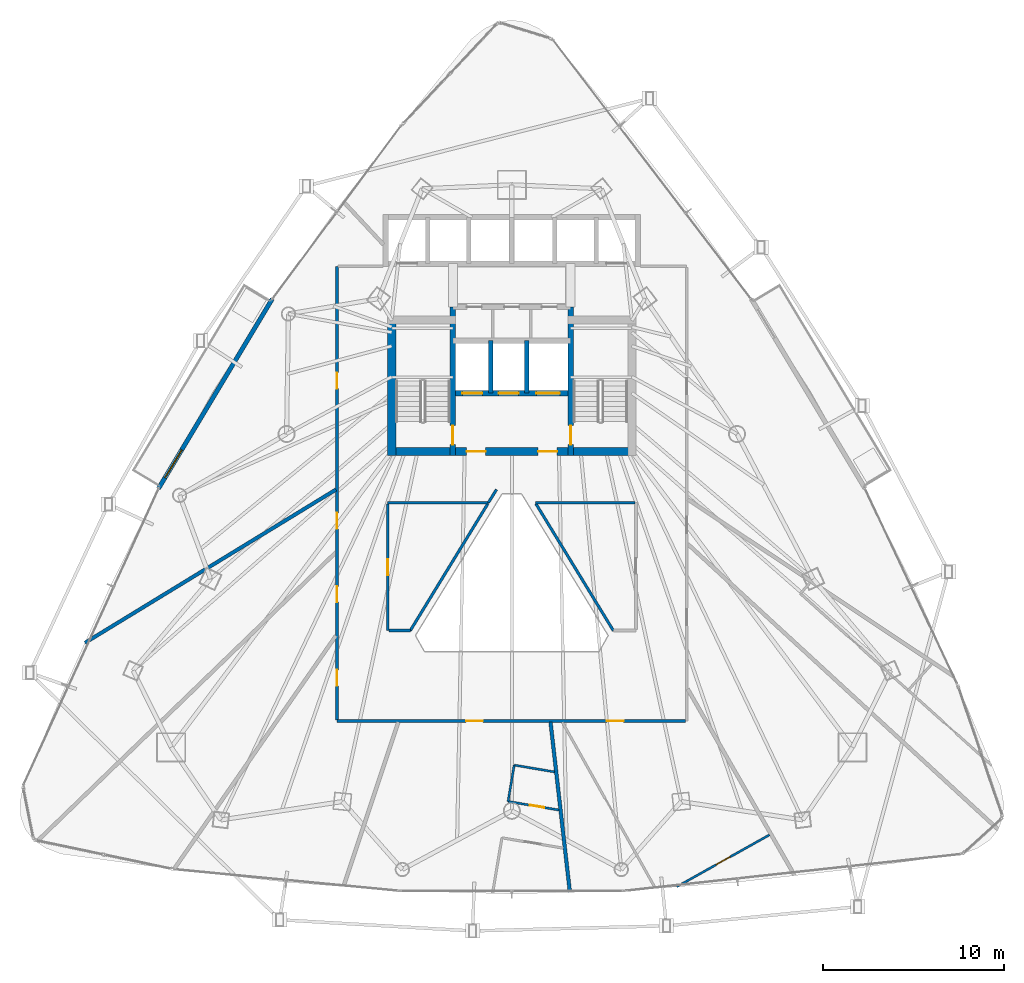
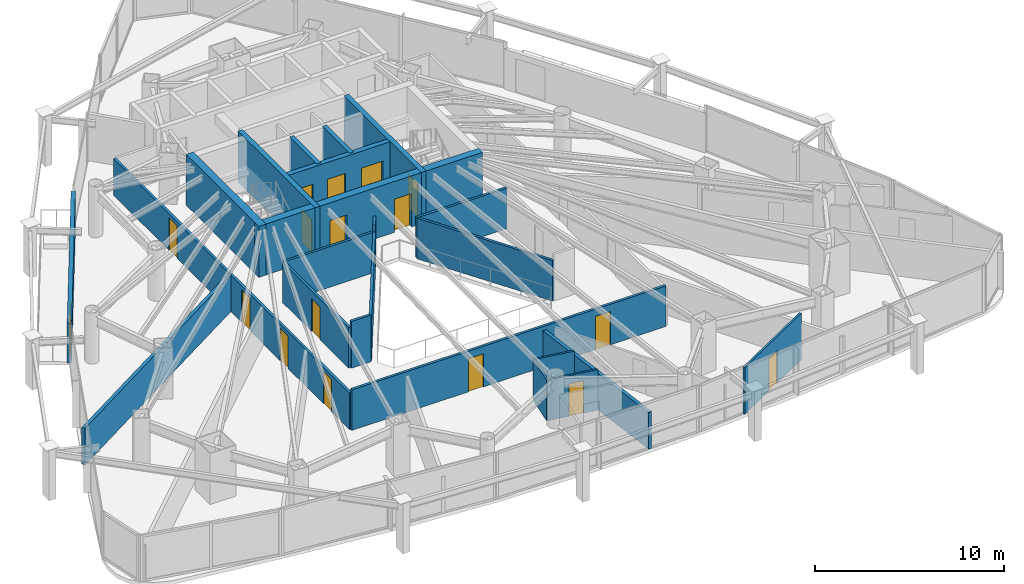
# One storey, part 28 of 33: 23 walls, 17 doors, 17 openings.
"""IFC4 building model written with IfcOpenShell, lengths in metres."""

from ifc_helpers import new_model, si_unit, direction, frame, frame_2d, origin, place, context, subcontext, project, spatial, rectangle, extrude, material, layer, layer_set, type_object, element, fill, save


model = new_model("IFC4")

# Units and contexts
model_context = context("Model", 3, precision=1e-05, world=origin(), true_north=direction((0.0, 1.0)))
body_context = subcontext(model_context, "Body", "Model", "MODEL_VIEW")
ifc_project = project(units=[si_unit("LENGTHUNIT", "METRE"), si_unit("AREAUNIT", "SQUARE_METRE"), si_unit("VOLUMEUNIT", "CUBIC_METRE"), si_unit("PLANEANGLEUNIT", "RADIAN"), si_unit("MASSUNIT", "GRAM", prefix="KILO")], contexts=[model_context])

# Site, building, storey
site_placement = place(None, origin())
site = spatial("IfcSite", under=ifc_project, at=site_placement, CompositionType="ELEMENT")
building_placement = place(site_placement, origin())
building = spatial("IfcBuilding", under=site, at=building_placement, Name="Orvanel Arch Residences", CompositionType="ELEMENT")
storey_placement = place(building_placement, frame((0.0, 0.0, 93.949951171875)))
storey = spatial("IfcBuildingStorey", under=building, at=storey_placement, Name="L26", CompositionType="ELEMENT", Elevation=93.949951171875)

# Wall, opening, door
ifc_material_1 = material(Name="Precast concrete N50 (50 MPa)", Category="concrete")
ifc_layer_1 = layer(ifc_material_1, 0.239990234375)
ifc_layer_set_1 = layer_set([ifc_layer_1], Name="Precast concrete N50 (50 MPa)")
wall_type_1 = type_object("IfcWallType", Name="EW-BAL-240", PredefinedType="SOLIDWALL", material=ifc_layer_set_1)
wall_1_placement = place(storey_placement, frame((19.782958984375, 35.10791015625, 0.0), z_axis=(0.0, 0.0, 1.0), x_axis=(-0.514369419392, -0.857568714678, 0.0)))
wall_1 = element("IfcWall", 1, at=wall_1_placement, inside=storey, type_object=wall_type_1, Name="L26 Balcony Threshold Wall Face 1", PredefinedType="SOLIDWALL", context=body_context, shape_type="SweptSolid", body=[
    extrude(rectangle(XDim=12.220458984375, YDim=0.239990234375, at=frame_2d((6.1103515625, 0.0))), origin(), (0.0, 0.0, 1.0), 2.583984375),
])
opening_1_placement = place(wall_1_placement, frame((9.722900390625, 0.0, 0.0)))
opening_1 = element("IfcOpeningElement", 2, at=opening_1_placement, cuts=wall_1, Name="Opening DB-180", PredefinedType="OPENING", context=body_context, shape_type="SweptSolid", body=[
    extrude(rectangle(XDim=1.800048828125, YDim=2.199951171875, at=frame_2d((0.89990234375, 1.10009765625))), frame((0.0, 0.1298828125, 0.0), z_axis=(0.0, -1.0, 0.0), x_axis=(1.0, 0.0, 0.0)), (0.0, 0.0, 1.0), 0.260009765625),
])
ifc_material_2 = material(Name="Bronze-anodised aluminium AA6063-T6", Category="aluminium")
door_type_1 = type_object("IfcDoorType", Name="DR-BAL-1800", OperationType="NOTDEFINED", PredefinedType="DOOR", material=ifc_material_2)
door_1_placement = place(opening_1_placement, origin())
door_1 = element("IfcDoor", 3, at=door_1_placement, inside=storey, type_object=door_type_1, Name="DR-L26-BAL-F1 L26 Planted Balcony Access Door Face 1", OperationType="SINGLE_SWING_LEFT", OverallHeight=2.199951171875, OverallWidth=1.800048828125, PredefinedType="DOOR", context=body_context, shape_type="SweptSolid", body=[
    extrude(rectangle(XDim=1.800048828125, YDim=2.199951171875, at=frame_2d((0.89990234375, 1.10009765625))), frame((0.0, 0.02490234375, 0.0), z_axis=(0.0, -1.0, 0.0), x_axis=(1.0, 0.0, 0.0)), (0.0, 0.0, 1.0), 0.050048828125),
])
fill(opening_1, door_1)

# Walls
ifc_material_3 = material(Name="Concrete N50 (50 MPa)", Category="concrete")
ifc_layer_2 = layer(ifc_material_3, 0.25)
ifc_layer_set_2 = layer_set([ifc_layer_2], Name="Concrete N50 (50 MPa)")
wall_type_2 = type_object("IfcWallType", Name="SW-CORE-250", PredefinedType="SHEAR", material=ifc_layer_set_2)
for number, where, z_axis, x_axis, name in (
    (4, (31.824951171875, 29.89990234375, 0.0), (0.0, 0.0, 1.0), (0.0, 1.0, 0.0), "L26 Emergency Lift Inter-Shaft Wall F12"),
    (5, (33.824951171875, 29.89990234375, 0.0), (0.0, 0.0, 1.0), (0.0, 1.0, 0.0), "L26 Emergency Lift Inter-Shaft Wall F2G"),
):
    element("IfcWall", number, at=place(storey_placement, frame(where, z_axis=z_axis, x_axis=x_axis)), inside=storey, type_object=wall_type_2, Name=name, PredefinedType="SHEAR", context=body_context, shape_type="SweptSolid", body=[
        extrude(rectangle(XDim=2.900146484375, YDim=0.25, at=frame_2d((1.4501953125, 0.0))), origin(), (0.0, 0.0, 1.0), 3.300048828125),
    ])

# Wall, opening, door
ifc_material_4 = material(Name="Concrete S80 (80 MPa)", Category="concrete")
ifc_layer_3 = layer(ifc_material_4, 0.300048828125)
ifc_layer_set_3 = layer_set([ifc_layer_3], Name="Concrete S80 (80 MPa)")
wall_type_3 = type_object("IfcWallType", Name="SW-CORE-300", PredefinedType="SHEAR", material=ifc_layer_set_3)
wall_2_placement = place(storey_placement, frame((29.75, 26.449951171875, 0.0), z_axis=(0.0, 0.0, 1.0), x_axis=(0.0, 1.0, 0.0)))
wall_2 = element("IfcWall", 6, at=wall_2_placement, inside=storey, type_object=wall_type_3, Name="L26 West Inner Core Spine Shear Wall", PredefinedType="SHEAR", context=body_context, shape_type="SweptSolid", body=[
    extrude(rectangle(XDim=8.199951171875, YDim=0.300048828125, at=frame_2d((4.10009765625, 0.0))), origin(), (0.0, 0.0, 1.0), 3.300048828125),
])
opening_2_placement = place(wall_2_placement, frame((0.60009765625, 0.0, 0.0)))
opening_2 = element("IfcOpeningElement", 7, at=opening_2_placement, cuts=wall_2, Name="Opening DF-120", PredefinedType="OPENING", context=body_context, shape_type="SweptSolid", body=[
    extrude(rectangle(XDim=1.050048828125, YDim=2.14990234375, at=frame_2d((0.52490234375, 1.074951171875))), frame((0.0, 0.159912109375, 0.0), z_axis=(0.0, -1.0, 0.0), x_axis=(1.0, 0.0, 0.0)), (0.0, 0.0, 1.0), 0.320068359375),
])
ifc_material_5 = material(Name="Galvanised steel fire-resisting door assembly", Category="steel")
door_type_2 = type_object("IfcDoorType", Name="DR-FD120-1050", OperationType="NOTDEFINED", PredefinedType="DOOR", material=ifc_material_5)
door_2_placement = place(opening_2_placement, origin())
door_2 = element("IfcDoor", 8, at=door_2_placement, inside=storey, type_object=door_type_2, Name="DR-L26-ST1 L26 Stair 1 Fire Door", OperationType="SINGLE_SWING_LEFT", OverallHeight=2.14990234375, OverallWidth=1.050048828125, PredefinedType="DOOR", context=body_context, shape_type="SweptSolid", body=[
    extrude(rectangle(XDim=1.050048828125, YDim=2.14990234375, at=frame_2d((0.52490234375, 1.074951171875))), frame((0.0, 0.02490234375, 0.0), z_axis=(0.0, -1.0, 0.0), x_axis=(1.0, 0.0, 0.0)), (0.0, 0.0, 1.0), 0.050048828125),
])
fill(opening_2, door_2)

wall_3_placement = place(storey_placement, frame((36.25, 26.449951171875, 0.0), z_axis=(0.0, 0.0, 1.0), x_axis=(0.0, 1.0, 0.0)))
wall_3 = element("IfcWall", 9, at=wall_3_placement, inside=storey, type_object=wall_type_3, Name="L26 East Inner Core Spine Shear Wall", PredefinedType="SHEAR", context=body_context, shape_type="SweptSolid", body=[
    extrude(rectangle(XDim=8.199951171875, YDim=0.300048828125, at=frame_2d((4.10009765625, 0.0))), origin(), (0.0, 0.0, 1.0), 3.300048828125),
])
opening_3_placement = place(wall_3_placement, frame((0.60009765625, 0.0, 0.0)))
opening_3 = element("IfcOpeningElement", 10, at=opening_3_placement, cuts=wall_3, Name="Opening DF-120", PredefinedType="OPENING", context=body_context, shape_type="SweptSolid", body=[
    extrude(rectangle(XDim=1.050048828125, YDim=2.14990234375, at=frame_2d((0.52490234375, 1.074951171875))), frame((0.0, 0.159912109375, 0.0), z_axis=(0.0, -1.0, 0.0), x_axis=(1.0, 0.0, 0.0)), (0.0, 0.0, 1.0), 0.320068359375),
])
door_3_placement = place(opening_3_placement, origin())
door_3 = element("IfcDoor", 11, at=door_3_placement, inside=storey, type_object=door_type_2, Name="DR-L26-ST2 L26 Stair 2 Fire Door", OperationType="SINGLE_SWING_RIGHT", OverallHeight=2.14990234375, OverallWidth=1.050048828125, PredefinedType="DOOR", context=body_context, shape_type="SweptSolid", body=[
    extrude(rectangle(XDim=1.050048828125, YDim=2.14990234375, at=frame_2d((0.52490234375, 1.074951171875))), frame((0.0, 0.02490234375, 0.0), z_axis=(0.0, -1.0, 0.0), x_axis=(1.0, 0.0, 0.0)), (0.0, 0.0, 1.0), 0.050048828125),
])
fill(opening_3, door_3)

# Wall, openings, doors
wall_4_placement = place(storey_placement, frame((36.25, 29.89990234375, 0.0), z_axis=(0.0, 0.0, 1.0), x_axis=(-1.0, 0.0, 0.0)))
wall_4 = element("IfcWall", 12, at=wall_4_placement, inside=storey, type_object=wall_type_3, Name="L26 Emergency Lift Front Core Shear Wall", PredefinedType="SHEAR", context=body_context, shape_type="SweptSolid", body=[
    extrude(rectangle(XDim=6.5, YDim=0.300048828125, at=frame_2d((3.25, 0.0))), origin(), (0.0, 0.0, 1.0), 3.300048828125),
])
opening_4_placement = place(wall_4_placement, frame((4.875, 0.0, 0.0)))
opening_4 = element("IfcOpeningElement", 13, at=opening_4_placement, cuts=wall_4, Name="Opening LD-110", PredefinedType="OPENING", context=body_context, shape_type="SweptSolid", body=[
    extrude(rectangle(XDim=1.10009765625, YDim=2.199951171875, at=frame_2d((0.550048828125, 1.10009765625))), frame((0.0, 0.159912109375, 0.0), z_axis=(0.0, -1.0, 0.0), x_axis=(1.0, 0.0, 0.0)), (0.0, 0.0, 1.0), 0.320068359375),
])
opening_5_placement = place(wall_4_placement, frame((2.875, 0.0, 0.0)))
opening_5 = element("IfcOpeningElement", 14, at=opening_5_placement, cuts=wall_4, Name="Opening LD-110", PredefinedType="OPENING", context=body_context, shape_type="SweptSolid", body=[
    extrude(rectangle(XDim=1.10009765625, YDim=2.199951171875, at=frame_2d((0.550048828125, 1.10009765625))), frame((0.0, 0.159912109375, 0.0), z_axis=(0.0, -1.0, 0.0), x_axis=(1.0, 0.0, 0.0)), (0.0, 0.0, 1.0), 0.320068359375),
])
opening_6_placement = place(wall_4_placement, frame((0.60009765625, 0.0, 0.0)))
opening_6 = element("IfcOpeningElement", 15, at=opening_6_placement, cuts=wall_4, Name="Opening LD-130", PredefinedType="OPENING", context=body_context, shape_type="SweptSolid", body=[
    extrude(rectangle(XDim=1.300048828125, YDim=2.199951171875, at=frame_2d((0.64990234375, 1.10009765625))), frame((0.0, 0.159912109375, 0.0), z_axis=(0.0, -1.0, 0.0), x_axis=(1.0, 0.0, 0.0)), (0.0, 0.0, 1.0), 0.320068359375),
])
door_type_3 = type_object("IfcDoorType", Name="DR-LFT-1100", OperationType="NOTDEFINED", PredefinedType="DOOR", material=ifc_material_5)
door_4_placement = place(opening_4_placement, origin())
door_4 = element("IfcDoor", 16, at=door_4_placement, inside=storey, type_object=door_type_3, Name="LD-F1-L26 L26 Lift F1 Sliding Landing Door", OperationType="DOUBLE_DOOR_SLIDING", OverallHeight=2.199951171875, OverallWidth=1.10009765625, PredefinedType="DOOR", context=body_context, shape_type="SweptSolid", body=[
    extrude(rectangle(XDim=1.10009765625, YDim=2.199951171875, at=frame_2d((0.550048828125, 1.10009765625))), frame((0.0, 0.02490234375, 0.0), z_axis=(0.0, -1.0, 0.0), x_axis=(1.0, 0.0, 0.0)), (0.0, 0.0, 1.0), 0.050048828125),
])
fill(opening_4, door_4)
door_5_placement = place(opening_5_placement, origin())
door_5 = element("IfcDoor", 17, at=door_5_placement, inside=storey, type_object=door_type_3, Name="LD-F2-L26 L26 Lift F2 Sliding Landing Door", OperationType="DOUBLE_DOOR_SLIDING", OverallHeight=2.199951171875, OverallWidth=1.10009765625, PredefinedType="DOOR", context=body_context, shape_type="SweptSolid", body=[
    extrude(rectangle(XDim=1.10009765625, YDim=2.199951171875, at=frame_2d((0.550048828125, 1.10009765625))), frame((0.0, 0.02490234375, 0.0), z_axis=(0.0, -1.0, 0.0), x_axis=(1.0, 0.0, 0.0)), (0.0, 0.0, 1.0), 0.050048828125),
])
fill(opening_5, door_5)
door_type_4 = type_object("IfcDoorType", Name="DR-LFT-1300", OperationType="NOTDEFINED", PredefinedType="DOOR", material=ifc_material_5)
door_6_placement = place(opening_6_placement, origin())
door_6 = element("IfcDoor", 18, at=door_6_placement, inside=storey, type_object=door_type_4, Name="LD-G1-L26 L26 Lift G1 Sliding Landing Door", OperationType="DOUBLE_DOOR_SLIDING", OverallHeight=2.199951171875, OverallWidth=1.300048828125, PredefinedType="DOOR", context=body_context, shape_type="SweptSolid", body=[
    extrude(rectangle(XDim=1.300048828125, YDim=2.199951171875, at=frame_2d((0.64990234375, 1.10009765625))), frame((0.0, 0.02490234375, 0.0), z_axis=(0.0, -1.0, 0.0), x_axis=(1.0, 0.0, 0.0)), (0.0, 0.0, 1.0), 0.050048828125),
])
fill(opening_6, door_6)

ifc_layer_4 = layer(ifc_material_4, 0.449951171875)
ifc_layer_set_4 = layer_set([ifc_layer_4], Name="Concrete S80 (80 MPa)")
wall_type_4 = type_object("IfcWallType", Name="SW-CORE-450", PredefinedType="SHEAR", material=ifc_layer_set_4)
wall_5_placement = place(storey_placement, frame((26.14990234375, 26.675048828125, 0.0), z_axis=(0.0, 0.0, 1.0), x_axis=(1.0, 0.0, 0.0)))
wall_5 = element("IfcWall", 19, at=wall_5_placement, inside=storey, type_object=wall_type_4, Name="L26 South Core Shear Wall", PredefinedType="SHEAR", context=body_context, shape_type="SweptSolid", body=[
    extrude(rectangle(XDim=13.7001953125, YDim=0.449951171875, at=frame_2d((6.85009765625, 0.0))), origin(), (0.0, 0.0, 1.0), 3.300048828125),
])
opening_7_placement = place(wall_5_placement, frame((4.35009765625, 0.0, 0.0)))
opening_7 = element("IfcOpeningElement", 20, at=opening_7_placement, cuts=wall_5, Name="Opening DF-060", PredefinedType="OPENING", context=body_context, shape_type="SweptSolid", body=[
    extrude(rectangle(XDim=1.050048828125, YDim=2.14990234375, at=frame_2d((0.52490234375, 1.074951171875))), frame((0.0, 0.23486328125, 0.0), z_axis=(0.0, -1.0, 0.0), x_axis=(1.0, 0.0, 0.0)), (0.0, 0.0, 1.0), 0.469970703125),
])
opening_8_placement = place(wall_5_placement, frame((8.300048828125, 0.0, 0.0)))
opening_8 = element("IfcOpeningElement", 21, at=opening_8_placement, cuts=wall_5, Name="Opening DF-060", PredefinedType="OPENING", context=body_context, shape_type="SweptSolid", body=[
    extrude(rectangle(XDim=1.050048828125, YDim=2.14990234375, at=frame_2d((0.52490234375, 1.074951171875))), frame((0.0, 0.23486328125, 0.0), z_axis=(0.0, -1.0, 0.0), x_axis=(1.0, 0.0, 0.0)), (0.0, 0.0, 1.0), 0.469970703125),
])
door_type_5 = type_object("IfcDoorType", Name="DR-FD60-1050", OperationType="NOTDEFINED", PredefinedType="DOOR", material=ifc_material_5)
door_7_placement = place(opening_7_placement, origin())
door_7 = element("IfcDoor", 22, at=door_7_placement, inside=storey, type_object=door_type_5, Name="DR-L26-FFL-W L26 West Smoke Lobby Door", OperationType="SINGLE_SWING_LEFT", OverallHeight=2.14990234375, OverallWidth=1.050048828125, PredefinedType="DOOR", context=body_context, shape_type="SweptSolid", body=[
    extrude(rectangle(XDim=1.050048828125, YDim=2.14990234375, at=frame_2d((0.52490234375, 1.074951171875))), frame((0.0, 0.02490234375, 0.0), z_axis=(0.0, -1.0, 0.0), x_axis=(1.0, 0.0, 0.0)), (0.0, 0.0, 1.0), 0.050048828125),
])
fill(opening_7, door_7)
door_8_placement = place(opening_8_placement, origin())
door_8 = element("IfcDoor", 23, at=door_8_placement, inside=storey, type_object=door_type_5, Name="DR-L26-FFL-E L26 East Smoke Lobby Door", OperationType="SINGLE_SWING_RIGHT", OverallHeight=2.14990234375, OverallWidth=1.050048828125, PredefinedType="DOOR", context=body_context, shape_type="SweptSolid", body=[
    extrude(rectangle(XDim=1.050048828125, YDim=2.14990234375, at=frame_2d((0.52490234375, 1.074951171875))), frame((0.0, 0.02490234375, 0.0), z_axis=(0.0, -1.0, 0.0), x_axis=(1.0, 0.0, 0.0)), (0.0, 0.0, 1.0), 0.050048828125),
])
fill(opening_8, door_8)

# Wall
wall_6_placement = place(storey_placement, frame((26.375, 26.449951171875, 0.0), z_axis=(0.0, 0.0, 1.0), x_axis=(0.0, 1.0, 0.0)))
element("IfcWall", 24, at=wall_6_placement, inside=storey, type_object=wall_type_4, Name="L26 West Stair Shear Wall", PredefinedType="SHEAR", context=body_context, shape_type="SweptSolid", body=[
    extrude(rectangle(XDim=7.699951171875, YDim=0.449951171875, at=frame_2d((3.85009765625, 0.0))), origin(), (0.0, 0.0, 1.0), 3.300048828125),
])

# Wall, openings, doors
ifc_material_6 = material(Name="Fire-rated plasterboard lined steel stud partition", Category="steel")
ifc_layer_5 = layer(ifc_material_6, 0.14990234375)
ifc_layer_set_5 = layer_set([ifc_layer_5], Name="Fire-rated plasterboard lined steel stud partition")
wall_type_5 = type_object("IfcWallType", Name="W-COR-150", PredefinedType="PARTITIONING", material=ifc_layer_set_5)
wall_7_placement = place(storey_placement, frame((42.590087890625, 11.800048828125, 0.0), z_axis=(0.0, 0.0, 1.0), x_axis=(-1.0, 0.0, 0.0)))
wall_7 = element("IfcWall", 25, at=wall_7_placement, inside=storey, type_object=wall_type_5, Name="L26 Corridor Fire-Rated Partition", PredefinedType="PARTITIONING", context=body_context, shape_type="SweptSolid", body=[
    extrude(rectangle(XDim=19.239990234375, YDim=0.14990234375, at=frame_2d((9.6201171875, 0.0))), origin(), (0.0, 0.0, 1.0), 2.629150390625),
])
opening_9_placement = place(wall_7_placement, frame((11.19189453125, 0.0, 0.0)))
opening_9 = element("IfcOpeningElement", 26, at=opening_9_placement, cuts=wall_7, Name="Opening DA-092", PredefinedType="OPENING", context=body_context, shape_type="SweptSolid", body=[
    extrude(rectangle(XDim=0.919921875, YDim=2.14990234375, at=frame_2d((0.4599609375, 1.074951171875))), frame((0.0, 0.0849609375, 0.0), z_axis=(0.0, -1.0, 0.0), x_axis=(1.0, 0.0, 0.0)), (0.0, 0.0, 1.0), 0.169921875),
])
opening_10_placement = place(wall_7_placement, frame((3.419921875, 0.0, 0.0)))
opening_10 = element("IfcOpeningElement", 27, at=opening_10_placement, cuts=wall_7, Name="Opening DA-092", PredefinedType="OPENING", context=body_context, shape_type="SweptSolid", body=[
    extrude(rectangle(XDim=0.919921875, YDim=2.14990234375, at=frame_2d((0.4599609375, 1.074951171875))), frame((0.0, 0.0849609375, 0.0), z_axis=(0.0, -1.0, 0.0), x_axis=(1.0, 0.0, 0.0)), (0.0, 0.0, 1.0), 0.169921875),
])
ifc_material_7 = material(Name="Solid-core European oak veneer fire door leaf", Category="wood")
door_type_6 = type_object("IfcDoorType", Name="DR-APT-920", OperationType="NOTDEFINED", PredefinedType="DOOR", material=ifc_material_7)
door_9_placement = place(opening_9_placement, origin())
door_9 = element("IfcDoor", 28, at=door_9_placement, inside=storey, type_object=door_type_6, Name="DR-L26-C-ENT L26 Studio C Entrance Door", OperationType="SINGLE_SWING_RIGHT", OverallHeight=2.14990234375, OverallWidth=0.919921875, PredefinedType="DOOR", context=body_context, shape_type="SweptSolid", body=[
    extrude(rectangle(XDim=0.919921875, YDim=2.14990234375, at=frame_2d((0.4599609375, 1.074951171875))), frame((0.0, 0.02490234375, 0.0), z_axis=(0.0, -1.0, 0.0), x_axis=(1.0, 0.0, 0.0)), (0.0, 0.0, 1.0), 0.050048828125),
])
fill(opening_9, door_9)
door_10_placement = place(opening_10_placement, origin())
door_10 = element("IfcDoor", 29, at=door_10_placement, inside=storey, type_object=door_type_6, Name="DR-L26-D-ENT L26 Studio D Entrance Door", OperationType="SINGLE_SWING_LEFT", OverallHeight=2.14990234375, OverallWidth=0.919921875, PredefinedType="DOOR", context=body_context, shape_type="SweptSolid", body=[
    extrude(rectangle(XDim=0.919921875, YDim=2.14990234375, at=frame_2d((0.4599609375, 1.074951171875))), frame((0.0, 0.02490234375, 0.0), z_axis=(0.0, -1.0, 0.0), x_axis=(1.0, 0.0, 0.0)), (0.0, 0.0, 1.0), 0.050048828125),
])
fill(opening_10, door_10)

wall_8_placement = place(storey_placement, frame((23.35009765625, 11.860107421875, 0.0), z_axis=(0.0, 0.0, 1.0), x_axis=(0.0, 1.0, 0.0)))
wall_8 = element("IfcWall", 30, at=wall_8_placement, inside=storey, type_object=wall_type_5, Name="L26 Corridor Fire-Rated Partition", PredefinedType="PARTITIONING", context=body_context, shape_type="SweptSolid", body=[
    extrude(rectangle(XDim=25.039794921875, YDim=0.14990234375, at=frame_2d((12.52001953125, 0.0))), origin(), (0.0, 0.0, 1.0), 2.373046875),
])
opening_11_placement = place(wall_8_placement, frame((18.284912109375, 0.0, 0.0)))
opening_11 = element("IfcOpeningElement", 31, at=opening_11_placement, cuts=wall_8, Name="Opening DI-088", PredefinedType="OPENING", context=body_context, shape_type="SweptSolid", body=[
    extrude(rectangle(XDim=0.8798828125, YDim=2.10009765625, at=frame_2d((0.43994140625, 1.050048828125))), frame((0.0, 0.0849609375, 0.0), z_axis=(0.0, -1.0, 0.0), x_axis=(1.0, 0.0, 0.0)), (0.0, 0.0, 1.0), 0.169921875),
])
opening_12_placement = place(wall_8_placement, frame((10.544921875, 0.0, 0.0)))
opening_12 = element("IfcOpeningElement", 32, at=opening_12_placement, cuts=wall_8, Name="Opening DI-088", PredefinedType="OPENING", context=body_context, shape_type="SweptSolid", body=[
    extrude(rectangle(XDim=0.8798828125, YDim=2.10009765625, at=frame_2d((0.43994140625, 1.050048828125))), frame((0.0, 0.0849609375, 0.0), z_axis=(0.0, -1.0, 0.0), x_axis=(1.0, 0.0, 0.0)), (0.0, 0.0, 1.0), 0.169921875),
])
opening_13_placement = place(wall_8_placement, frame((6.49609375, 0.0, 0.0)))
opening_13 = element("IfcOpeningElement", 33, at=opening_13_placement, cuts=wall_8, Name="Opening DI-088", PredefinedType="OPENING", context=body_context, shape_type="SweptSolid", body=[
    extrude(rectangle(XDim=0.8798828125, YDim=2.10009765625, at=frame_2d((0.43994140625, 1.050048828125))), frame((0.0, 0.0849609375, 0.0), z_axis=(0.0, -1.0, 0.0), x_axis=(1.0, 0.0, 0.0)), (0.0, 0.0, 1.0), 0.169921875),
])
opening_14_placement = place(wall_8_placement, frame((1.8798828125, 0.0, 0.0)))
opening_14 = element("IfcOpeningElement", 34, at=opening_14_placement, cuts=wall_8, Name="Opening DI-088", PredefinedType="OPENING", context=body_context, shape_type="SweptSolid", body=[
    extrude(rectangle(XDim=0.8798828125, YDim=2.10009765625, at=frame_2d((0.43994140625, 1.050048828125))), frame((0.0, 0.0849609375, 0.0), z_axis=(0.0, -1.0, 0.0), x_axis=(1.0, 0.0, 0.0)), (0.0, 0.0, 1.0), 0.169921875),
])
door_type_7 = type_object("IfcDoorType", Name="DR-INT-880", OperationType="NOTDEFINED", PredefinedType="DOOR", material=ifc_material_7)
door_11_placement = place(opening_11_placement, origin())
door_11 = element("IfcDoor", 35, at=door_11_placement, inside=storey, type_object=door_type_7, Name="DR-L26-SHRD-FB1 L26 Co-Working Study Office A Door", OperationType="SINGLE_SWING_LEFT", OverallHeight=2.10009765625, OverallWidth=0.8798828125, PredefinedType="DOOR", context=body_context, shape_type="SweptSolid", body=[
    extrude(rectangle(XDim=0.8798828125, YDim=2.10009765625, at=frame_2d((0.43994140625, 1.050048828125))), frame((0.0, 0.02490234375, 0.0), z_axis=(0.0, -1.0, 0.0), x_axis=(1.0, 0.0, 0.0)), (0.0, 0.0, 1.0), 0.050048828125),
])
fill(opening_11, door_11)
door_12_placement = place(opening_12_placement, origin())
door_12 = element("IfcDoor", 36, at=door_12_placement, inside=storey, type_object=door_type_7, Name="DR-L26-SHRD-FB2 L26 Co-Working Study Office B Door", OperationType="SINGLE_SWING_LEFT", OverallHeight=2.10009765625, OverallWidth=0.8798828125, PredefinedType="DOOR", context=body_context, shape_type="SweptSolid", body=[
    extrude(rectangle(XDim=0.8798828125, YDim=2.10009765625, at=frame_2d((0.43994140625, 1.050048828125))), frame((0.0, 0.02490234375, 0.0), z_axis=(0.0, -1.0, 0.0), x_axis=(1.0, 0.0, 0.0)), (0.0, 0.0, 1.0), 0.050048828125),
])
fill(opening_12, door_12)
door_13_placement = place(opening_13_placement, origin())
door_13 = element("IfcDoor", 37, at=door_13_placement, inside=storey, type_object=door_type_7, Name="DR-L26-SHRD-FB5 L26 Co-Working Study Office E Door", OperationType="SINGLE_SWING_LEFT", OverallHeight=2.10009765625, OverallWidth=0.8798828125, PredefinedType="DOOR", context=body_context, shape_type="SweptSolid", body=[
    extrude(rectangle(XDim=0.8798828125, YDim=2.10009765625, at=frame_2d((0.43994140625, 1.050048828125))), frame((0.0, 0.02490234375, 0.0), z_axis=(0.0, -1.0, 0.0), x_axis=(1.0, 0.0, 0.0)), (0.0, 0.0, 1.0), 0.050048828125),
])
fill(opening_13, door_13)
door_14_placement = place(opening_14_placement, origin())
door_14 = element("IfcDoor", 38, at=door_14_placement, inside=storey, type_object=door_type_7, Name="DR-L26-SHRD-FB6 L26 Co-Working Study Office F Door", OperationType="SINGLE_SWING_LEFT", OverallHeight=2.10009765625, OverallWidth=0.8798828125, PredefinedType="DOOR", context=body_context, shape_type="SweptSolid", body=[
    extrude(rectangle(XDim=0.8798828125, YDim=2.10009765625, at=frame_2d((0.43994140625, 1.050048828125))), frame((0.0, 0.02490234375, 0.0), z_axis=(0.0, -1.0, 0.0), x_axis=(1.0, 0.0, 0.0)), (0.0, 0.0, 1.0), 0.050048828125),
])
fill(opening_14, door_14)

# Walls
wall_9_placement = place(storey_placement, frame((32.156005859375, 24.576904296875, 0.0), z_axis=(0.0, 0.0, 1.0), x_axis=(-0.526374279241, -0.850252973034, 0.0)))
element("IfcWall", 39, at=wall_9_placement, inside=storey, type_object=wall_type_5, Name="L26 Corridor Fire-Rated Partition", PredefinedType="PARTITIONING", context=body_context, shape_type="SweptSolid", body=[
    extrude(rectangle(XDim=0.854736328125, YDim=0.14990234375, at=frame_2d((0.42724609375, 0.0))), origin(), (0.0, 0.0, 1.0), 3.02001953125),
])
wall_10_placement = place(storey_placement, frame((31.7060546875, 23.85009765625, 0.0), z_axis=(0.0, 0.0, 1.0), x_axis=(-1.0, 0.0, 0.0)))
element("IfcWall", 40, at=wall_10_placement, inside=storey, type_object=wall_type_5, Name="L26 Corridor Fire-Rated Partition", PredefinedType="PARTITIONING", context=body_context, shape_type="SweptSolid", body=[
    extrude(rectangle(XDim=5.55615234375, YDim=0.14990234375, at=frame_2d((2.778076171875, 0.0))), origin(), (0.0, 0.0, 1.0), 2.629150390625),
])

# Wall, opening, door
wall_11_placement = place(storey_placement, frame((26.14990234375, 23.7900390625, 0.0), z_axis=(0.0, 0.0, 1.0), x_axis=(0.0, -1.0, 0.0)))
wall_11 = element("IfcWall", 41, at=wall_11_placement, inside=storey, type_object=wall_type_5, Name="L26 Corridor Fire-Rated Partition", PredefinedType="PARTITIONING", context=body_context, shape_type="SweptSolid", body=[
    extrude(rectangle(XDim=6.989990234375, YDim=0.14990234375, at=frame_2d((3.4951171875, 0.0))), origin(), (0.0, 0.0, 1.0), 2.629150390625),
])
opening_15_placement = place(wall_11_placement, frame((3.054931640625, 0.0, 0.0)))
opening_15 = element("IfcOpeningElement", 42, at=opening_15_placement, cuts=wall_11, Name="Opening DI-088", PredefinedType="OPENING", context=body_context, shape_type="SweptSolid", body=[
    extrude(rectangle(XDim=0.8798828125, YDim=2.10009765625, at=frame_2d((0.43994140625, 1.050048828125))), frame((0.0, 0.0849609375, 0.0), z_axis=(0.0, -1.0, 0.0), x_axis=(1.0, 0.0, 0.0)), (0.0, 0.0, 1.0), 0.169921875),
])
door_15_placement = place(opening_15_placement, origin())
door_15 = element("IfcDoor", 43, at=door_15_placement, inside=storey, type_object=door_type_7, Name="DR-L26-SHRD-FB9 L26 Co-Working Study Office I Door", OperationType="SINGLE_SWING_LEFT", OverallHeight=2.10009765625, OverallWidth=0.8798828125, PredefinedType="DOOR", context=body_context, shape_type="SweptSolid", body=[
    extrude(rectangle(XDim=0.8798828125, YDim=2.10009765625, at=frame_2d((0.43994140625, 1.050048828125))), frame((0.0, 0.02490234375, 0.0), z_axis=(0.0, -1.0, 0.0), x_axis=(1.0, 0.0, 0.0)), (0.0, 0.0, 1.0), 0.050048828125),
])
fill(opening_15, door_15)

# Walls
wall_12_placement = place(storey_placement, frame((26.2099609375, 16.800048828125, 0.0), z_axis=(0.0, 0.0, 1.0), x_axis=(1.0, 0.0, 0.0)))
element("IfcWall", 44, at=wall_12_placement, inside=storey, type_object=wall_type_5, Name="L26 Corridor Fire-Rated Partition", PredefinedType="PARTITIONING", context=body_context, shape_type="SweptSolid", body=[
    extrude(rectangle(XDim=1.18603515625, YDim=0.14990234375, at=frame_2d((0.593017578125, 0.0))), origin(), (0.0, 0.0, 1.0), 3.02001953125),
])
wall_13_placement = place(storey_placement, frame((39.7900390625, 23.85009765625, 0.0), z_axis=(0.0, 0.0, 1.0), x_axis=(-1.0, 0.0, 0.0)))
element("IfcWall", 45, at=wall_13_placement, inside=storey, type_object=wall_type_5, Name="L26 Corridor Fire-Rated Partition", PredefinedType="PARTITIONING", context=body_context, shape_type="SweptSolid", body=[
    extrude(rectangle(XDim=5.49609375, YDim=0.14990234375, at=frame_2d((2.748046875, 0.0))), origin(), (0.0, 0.0, 1.0), 2.629150390625),
])
wall_14_placement = place(storey_placement, frame((27.39599609375, 16.7900390625, 0.0), z_axis=(0.0, 0.0, 1.0), x_axis=(0.521563150989, 0.8532126813, 0.0)))
element("IfcWall", 46, at=wall_14_placement, inside=storey, type_object=wall_type_5, Name="L26 Atrium Overlook Glazed Partition", PredefinedType="PARTITIONING", context=body_context, shape_type="SweptSolid", body=[
    extrude(rectangle(XDim=8.204345703125, YDim=0.14990234375, at=frame_2d((4.10205078125, 0.0))), origin(), (0.0, 0.0, 1.0), 2.629150390625),
])
wall_15_placement = place(storey_placement, frame((34.3310546875, 23.7900390625, 0.0), z_axis=(0.0, 0.0, 1.0), x_axis=(0.52102126657, -0.853543695297, 0.0)))
element("IfcWall", 47, at=wall_15_placement, inside=storey, type_object=wall_type_5, Name="L26 Atrium Overlook Glazed Partition", PredefinedType="PARTITIONING", context=body_context, shape_type="SweptSolid", body=[
    extrude(rectangle(XDim=8.201171875, YDim=0.14990234375, at=frame_2d((4.1005859375, 0.0))), origin(), (0.0, 0.0, 1.0), 2.629150390625),
])
ifc_layer_6 = layer(ifc_material_6, 0.199951171875)
ifc_layer_set_6 = layer_set([ifc_layer_6], Name="Fire-rated plasterboard lined steel stud partition")
wall_type_6 = type_object("IfcWallType", Name="W-DEM-200", PredefinedType="PARTITIONING", material=ifc_layer_set_6)
wall_16_placement = place(storey_placement, frame((23.2900390625, 24.571044921875, 0.0), z_axis=(0.0, 0.0, 1.0), x_axis=(-0.85350412057, -0.521086092858, 0.0)))
element("IfcWall", 48, at=wall_16_placement, inside=storey, type_object=wall_type_6, Name="L26 Inter-Tenancy Acoustic Demising Wall", PredefinedType="PARTITIONING", context=body_context, shape_type="SweptSolid", body=[
    extrude(rectangle(XDim=16.229736328125, YDim=0.199951171875, at=frame_2d((8.11474609375, 0.0))), origin(), (0.0, 0.0, 1.0), 2.373046875),
])
wall_17_placement = place(storey_placement, frame((35.136962890625, 11.739990234375, 0.0), z_axis=(0.0, 0.0, 1.0), x_axis=(0.113194461651, -0.993572852815, 0.0)))
element("IfcWall", 49, at=wall_17_placement, inside=storey, type_object=wall_type_6, Name="L26 Inter-Tenancy Acoustic Demising Wall", PredefinedType="PARTITIONING", context=body_context, shape_type="SweptSolid", body=[
    extrude(rectangle(XDim=9.44482421875, YDim=0.199951171875, at=frame_2d((4.722412109375, 0.0))), origin(), (0.0, 0.0, 1.0), 2.373046875),
])
ifc_material_8 = material(Name="Acoustic plasterboard lined twin-stud partition", Category="gypsum")
ifc_layer_7 = layer(ifc_material_8, 0.1201171875)
ifc_layer_set_7 = layer_set([ifc_layer_7], Name="Acoustic plasterboard lined twin-stud partition")
wall_type_7 = type_object("IfcWallType", Name="W-WET-120", PredefinedType="PARTITIONING", material=ifc_layer_set_7)
wall_18_placement = place(storey_placement, frame((35.364990234375, 8.989013671875, 0.0), z_axis=(0.0, 0.0, 1.0), x_axis=(-0.986047933852, 0.166461623646, 0.0)))
element("IfcWall", 50, at=wall_18_placement, inside=storey, type_object=wall_type_7, Name="L26 Studio C Bathroom Partition", PredefinedType="PARTITIONING", context=body_context, shape_type="SweptSolid", body=[
    extrude(rectangle(XDim=2.264404296875, YDim=0.1201171875, at=frame_2d((1.13232421875, 0.0))), origin(), (0.0, 0.0, 1.0), 2.629150390625),
])
wall_19_placement = place(storey_placement, frame((33.132080078125, 9.365966796875, 0.0), z_axis=(0.0, 0.0, 1.0), x_axis=(-0.166129895483, -0.986103877807, 0.0)))
element("IfcWall", 51, at=wall_19_placement, inside=storey, type_object=wall_type_7, Name="L26 Studio C Bathroom Partition", PredefinedType="PARTITIONING", context=body_context, shape_type="SweptSolid", body=[
    extrude(rectangle(XDim=2.035400390625, YDim=0.1201171875, at=frame_2d((1.017578125, 0.0))), origin(), (0.0, 0.0, 1.0), 2.629150390625),
])

# Wall, opening, door
wall_20_placement = place(storey_placement, frame((32.7939453125, 7.35888671875, 0.0), z_axis=(0.0, 0.0, 1.0), x_axis=(0.986086685245, -0.166231913849, 0.0)))
wall_20 = element("IfcWall", 52, at=wall_20_placement, inside=storey, type_object=wall_type_7, Name="L26 Studio C Bathroom Partition", PredefinedType="PARTITIONING", context=body_context, shape_type="SweptSolid", body=[
    extrude(rectangle(XDim=2.8505859375, YDim=0.1201171875, at=frame_2d((1.42529296875, 0.0))), origin(), (0.0, 0.0, 1.0), 2.629150390625),
])
opening_16_placement = place(wall_20_placement, frame((1.214111328125, 0.0, 0.0)))
opening_16 = element("IfcOpeningElement", 53, at=opening_16_placement, cuts=wall_20, Name="Opening DW-082", PredefinedType="OPENING", context=body_context, shape_type="SweptSolid", body=[
    extrude(rectangle(XDim=0.820068359375, YDim=2.10009765625, at=frame_2d((0.41015625, 1.050048828125))), frame((0.0, 0.070068359375, 0.0), z_axis=(0.0, -1.0, 0.0), x_axis=(1.0, 0.0, 0.0)), (0.0, 0.0, 1.0), 0.14013671875),
])
door_type_8 = type_object("IfcDoorType", Name="DR-WET-820", OperationType="NOTDEFINED", PredefinedType="DOOR", material=ifc_material_7)
door_16_placement = place(opening_16_placement, origin())
door_16 = element("IfcDoor", 54, at=door_16_placement, inside=storey, type_object=door_type_8, Name="DR-L26-C-BATH L26 Studio C Bathroom Door", OperationType="SINGLE_SWING_RIGHT", OverallHeight=2.10009765625, OverallWidth=0.820068359375, PredefinedType="DOOR", context=body_context, shape_type="SweptSolid", body=[
    extrude(rectangle(XDim=0.820068359375, YDim=2.10009765625, at=frame_2d((0.41015625, 1.050048828125))), frame((0.0, 0.02490234375, 0.0), z_axis=(0.0, -1.0, 0.0), x_axis=(1.0, 0.0, 0.0)), (0.0, 0.0, 1.0), 0.050048828125),
])
fill(opening_16, door_16)

wall_21_placement = place(storey_placement, frame((47.22607421875, 5.51806640625, 0.0), z_axis=(0.0, 0.0, 1.0), x_axis=(-0.872551409816, -0.488522299622, 0.0)))
wall_21 = element("IfcWall", 55, at=wall_21_placement, inside=storey, type_object=wall_type_7, Name="L26 Studio D Internal Partition", PredefinedType="PARTITIONING", context=body_context, shape_type="SweptSolid", body=[
    extrude(rectangle(XDim=5.869140625, YDim=0.1201171875, at=frame_2d((2.9345703125, 0.0))), origin(), (0.0, 0.0, 1.0), 3.02001953125),
])
opening_17_placement = place(wall_21_placement, frame((2.493896484375, 0.0, 0.0)))
opening_17 = element("IfcOpeningElement", 56, at=opening_17_placement, cuts=wall_21, Name="Opening DI-088", PredefinedType="OPENING", context=body_context, shape_type="SweptSolid", body=[
    extrude(rectangle(XDim=0.8798828125, YDim=2.10009765625, at=frame_2d((0.43994140625, 1.050048828125))), frame((0.0, 0.070068359375, 0.0), z_axis=(0.0, -1.0, 0.0), x_axis=(1.0, 0.0, 0.0)), (0.0, 0.0, 1.0), 0.14013671875),
])
door_17_placement = place(opening_17_placement, origin())
door_17 = element("IfcDoor", 57, at=door_17_placement, inside=storey, type_object=door_type_7, Name="DR-L26-D-KIT L26 Studio D Kitchenette Door", OperationType="SINGLE_SWING_LEFT", OverallHeight=2.10009765625, OverallWidth=0.8798828125, PredefinedType="DOOR", context=body_context, shape_type="SweptSolid", body=[
    extrude(rectangle(XDim=0.8798828125, YDim=2.10009765625, at=frame_2d((0.43994140625, 1.050048828125))), frame((0.0, 0.02490234375, 0.0), z_axis=(0.0, -1.0, 0.0), x_axis=(1.0, 0.0, 0.0)), (0.0, 0.0, 1.0), 0.050048828125),
])
fill(opening_17, door_17)

save(model, "model.ifc")
